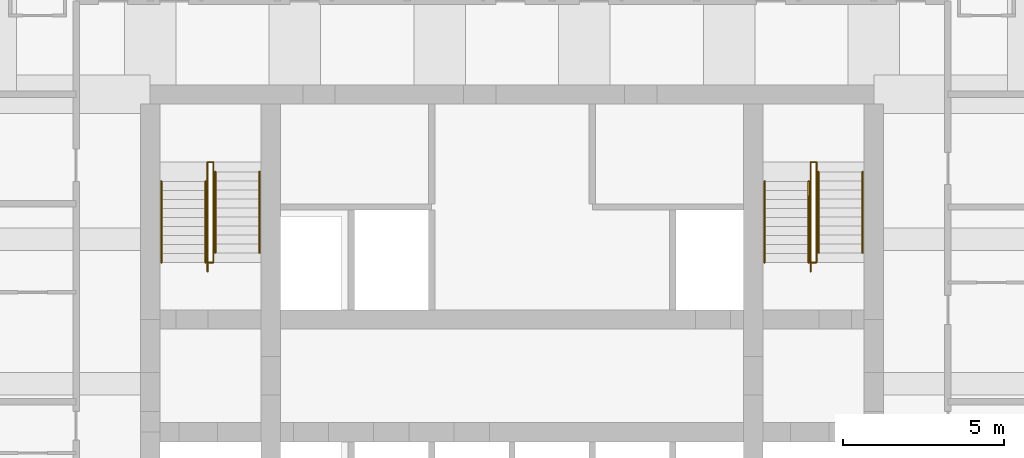
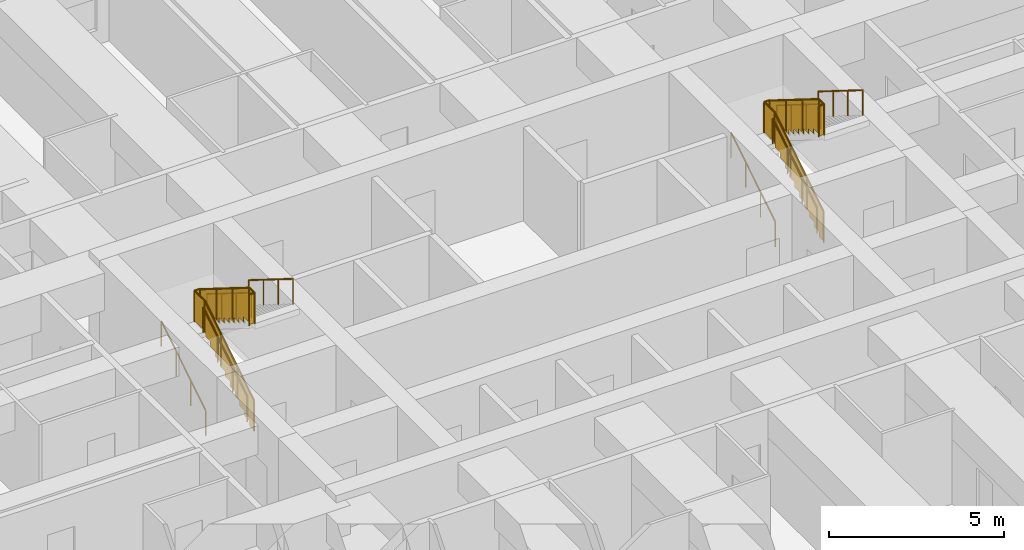
# One storey, part 8 of 8: 12 railings.
"""IFC4 building model written with IfcOpenShell, lengths in metres."""

import ifcopenshell
import ifcopenshell.guid

model = None  # the IFC model being written
_history = None  # IfcOwnerHistory: only IFC2X3 demands one
_inside = {}  # id of a spatial element -> (the spatial element, [elements in it])
_under = {}  # id of a project, library or spatial element -> (it, [spatial elements below it])
_declared = {}  # id of a project -> (the project, [libraries it declares])
_typed = {}  # id of a type object -> (the type object, [elements of that type])
_made_of = {}  # id of a material, layer set ... -> (it, [elements and type objects made of it])


def new_model(schema):
    """Start an empty IFC model of exactly this schema.

    Asked for "IFC4X3", IfcOpenShell would pick the latest addendum, in which some entities
    have other attributes; the version numbers below select the first issue.
    IFC2X3 requires an IfcOwnerHistory on every rooted entity: one is made here for all.
    """
    global model, _history
    if schema == "IFC4X3":
        model = ifcopenshell.file(schema_version=(4, 3, 0, 0))
    else:
        model = ifcopenshell.file(schema=schema)
    _inside.clear()
    _under.clear()
    _declared.clear()
    _typed.clear()
    _made_of.clear()
    _history = None
    if model.schema == "IFC2X3":
        org = make("IfcOrganization", Name="unknown")
        user = make(
            "IfcPersonAndOrganization",
            ThePerson=make("IfcPerson", FamilyName="unknown"),
            TheOrganization=org,
        )
        app = make(
            "IfcApplication",
            ApplicationDeveloper=org,
            Version="unknown",
            ApplicationFullName="unknown",
            ApplicationIdentifier="unknown",
        )
        _history = make(
            "IfcOwnerHistory",
            OwningUser=user,
            OwningApplication=app,
            ChangeAction="ADDED",
            CreationDate=0,
        )
    return model


def make(cls, **values):
    """One entity of the class cls with the attributes given. An attribute that is None is left unset."""
    return model.create_entity(
        cls, **{name: value for name, value in values.items() if value is not None}
    )


def rooted(cls, **values):
    """An entity with a GlobalId (a new one), such as an element, a storey or a relation."""
    return make(cls, GlobalId=ifcopenshell.guid.new(), OwnerHistory=_history, **values)


def si_unit(unit_type, name, prefix=None):
    """IfcSIUnit, for example si_unit("LENGTHUNIT", "METRE", prefix="MILLI")."""
    return make("IfcSIUnit", UnitType=unit_type, Prefix=prefix, Name=name)


def assignment(units):
    """IfcUnitAssignment: the units of a project."""
    return None if units is None else make("IfcUnitAssignment", Units=units)


def point(xyz):
    """IfcCartesianPoint."""
    return None if xyz is None else make("IfcCartesianPoint", Coordinates=xyz)


def direction(xyz):
    """IfcDirection."""
    return None if xyz is None else make("IfcDirection", DirectionRatios=xyz)


def frame(location, z_axis=None, x_axis=None):
    """IfcAxis2Placement3D, a coordinate frame: its origin and axes. An axis left out is left unset."""
    return make(
        "IfcAxis2Placement3D",
        Location=point(location),
        Axis=direction(z_axis),
        RefDirection=direction(x_axis),
    )


def frame_2d(location, x_axis=None):
    """IfcAxis2Placement2D, a coordinate frame in the plane: its origin and x axis."""
    return make(
        "IfcAxis2Placement2D", Location=point(location), RefDirection=direction(x_axis)
    )


def origin():
    """The frame at (0, 0, 0) with its axes left unset."""
    return frame((0.0, 0.0, 0.0))


def origin_2d():
    """The frame at (0, 0) in the plane with its x axis left unset."""
    return frame_2d((0.0, 0.0))


def place(relative_to, where):
    """IfcLocalPlacement: puts the frame where relative to a parent placement (None: the world)."""
    return make(
        "IfcLocalPlacement", PlacementRelTo=relative_to, RelativePlacement=where
    )


def context(
    kind, dimensions, precision=None, world=None, true_north=None, identifier=None
):
    """IfcGeometricRepresentationContext, for example the 3D "Model" context."""
    return make(
        "IfcGeometricRepresentationContext",
        ContextIdentifier=identifier,
        ContextType=kind,
        CoordinateSpaceDimension=dimensions,
        Precision=precision,
        WorldCoordinateSystem=world,
        TrueNorth=true_north,
    )


def subcontext(parent, identifier, kind, view, scale=None):
    """IfcGeometricRepresentationSubContext, for example "Body" below "Model"."""
    return make(
        "IfcGeometricRepresentationSubContext",
        ContextIdentifier=identifier,
        ContextType=kind,
        ParentContext=parent,
        TargetScale=scale,
        TargetView=view,
    )


def project(units=None, contexts=None):
    """IfcProject with its units and contexts."""
    return rooted(
        "IfcProject",
        Name="project",
        RepresentationContexts=contexts,
        UnitsInContext=assignment(units),
    )


def spatial(cls, under=None, at=None, **own):
    """A site, building, storey or space (cls), placed at a placement, below another one or the project."""
    s = rooted(cls, ObjectPlacement=at, **own)
    if under is not None:
        _under.setdefault(under.id(), (under, []))[1].append(s)
    return s


def polyline(points):
    """IfcPolyline through the points."""
    return make("IfcPolyline", Points=[point(p) for p in points])


def profile(cls, at=None, kind="AREA", **sizes):
    """A parametric profile (cls). Its sizes go by their IFC names, for example OverallWidth=200.0."""
    return make(cls, ProfileType=kind, Position=at, **sizes)


def circle(**sizes):
    """IfcCircleProfileDef."""
    return profile("IfcCircleProfileDef", **sizes)


def outline(outer, holes=None, kind="AREA"):
    """IfcArbitraryClosedProfileDef: a profile drawn as a closed curve; with holes, ...WithVoids."""
    if holes is None:
        return make("IfcArbitraryClosedProfileDef", ProfileType=kind, OuterCurve=outer)
    return make(
        "IfcArbitraryProfileDefWithVoids",
        ProfileType=kind,
        OuterCurve=outer,
        InnerCurves=holes,
    )


def extrude(swept, where, along, depth):
    """IfcExtrudedAreaSolid: the profile swept, set in the frame where, extruded along a direction by depth."""
    return make(
        "IfcExtrudedAreaSolid",
        SweptArea=swept,
        Position=where,
        ExtrudedDirection=direction(along),
        Depth=depth,
    )


def shape(context_of_items, identifier, shape_type, items):
    """IfcShapeRepresentation: the items that make up one representation, for example the "Body"."""
    return make(
        "IfcShapeRepresentation",
        ContextOfItems=context_of_items,
        RepresentationIdentifier=identifier,
        RepresentationType=shape_type,
        Items=items,
    )


def material(Name=None, Category=None):
    """IfcMaterial."""
    return make("IfcMaterial", Name=Name, Category=Category)


def made_of(thing, what):
    """Note that an element or type object is made of a material, layer set ...; save() writes the relation."""
    if what is not None:
        _made_of.setdefault(what.id(), (what, []))[1].append(thing)
    return thing


def type_object(cls, material=None, **own):
    """A type object (cls), such as IfcWallType, which elements share."""
    return made_of(rooted(cls, **own), material)


def element(
    cls,
    number,
    at=None,
    inside=None,
    cuts=None,
    type_object=None,
    material=None,
    context=None,
    identifier="Body",
    shape_type=None,
    held_by="IfcProductDefinitionShape",
    body=None,
    shapes=None,
    **own,
):
    """One element of the class cls, such as IfcWall. Its Tag is "e" and its number.

    at: its placement. inside: the storey or other place that contains it. cuts: it is an
    opening in that element (IfcRelVoidsElement). A single representation is given by context,
    identifier, shape_type and body (its items); several are given by shapes. held_by: the class
    of the entity that holds the representations. save() writes the other relations.
    """
    e = rooted(cls, Tag="e%d" % number, ObjectPlacement=at, **own)
    if body is not None:
        shapes = [shape(context, identifier, shape_type, body)]
    if shapes is not None:
        e.Representation = make(held_by, Representations=shapes)
    if inside is not None:
        _inside.setdefault(inside.id(), (inside, []))[1].append(e)
    if cuts is not None:
        rooted(
            "IfcRelVoidsElement", RelatingBuildingElement=cuts, RelatedOpeningElement=e
        )
    if type_object is not None:
        _typed.setdefault(type_object.id(), (type_object, []))[1].append(e)
    return made_of(e, material)


def aggregate(whole, parts):
    """IfcRelAggregates: a whole, such as a stair, and the parts it consists of."""
    return rooted("IfcRelAggregates", RelatingObject=whole, RelatedObjects=parts)


def save(model, path):
    """Write the relations noted so far, then the file.

    IfcRelAggregates (storeys below a building ...), IfcRelContainedInSpatialStructure (elements
    in a storey), IfcRelDefinesByType, IfcRelAssociatesMaterial and IfcRelDeclares: one each for
    every whole, place, type object, material and project.
    """
    for whole, parts in _under.values():
        aggregate(whole, parts)
    for where, things in _inside.values():
        rooted(
            "IfcRelContainedInSpatialStructure",
            RelatedElements=things,
            RelatingStructure=where,
        )
    for kind, things in _typed.values():
        rooted("IfcRelDefinesByType", RelatedObjects=things, RelatingType=kind)
    for what, things in _made_of.values():
        rooted("IfcRelAssociatesMaterial", RelatedObjects=things, RelatingMaterial=what)
    for by, libraries in _declared.values():
        rooted("IfcRelDeclares", RelatingContext=by, RelatedDefinitions=libraries)
    model.write(path)


model = new_model("IFC4")

# Units and contexts
model_context = context("Model", 3, precision=1e-05, world=origin(), true_north=direction((0.0, 1.0)))
body_context = subcontext(model_context, "Body", "Model", "MODEL_VIEW")
ifc_project = project(units=[si_unit("LENGTHUNIT", "METRE"), si_unit("AREAUNIT", "SQUARE_METRE"), si_unit("VOLUMEUNIT", "CUBIC_METRE"), si_unit("PLANEANGLEUNIT", "RADIAN"), si_unit("MASSUNIT", "GRAM", prefix="KILO")], contexts=[model_context])

# Site, building, storey
site_placement = place(None, origin())
site = spatial("IfcSite", under=ifc_project, at=site_placement, CompositionType="ELEMENT")
building_placement = place(site_placement, origin())
building = spatial("IfcBuilding", under=site, at=building_placement, Name="Kilele Tower Hotel", CompositionType="ELEMENT")
storey_placement = place(building_placement, frame((0.0, 0.0, 50.699951171875)))
storey = spatial("IfcBuildingStorey", under=building, at=storey_placement, Name="L11", CompositionType="ELEMENT", Elevation=50.699951171875)

# Railings
ifc_material_1 = material(Name="Steel handrail", Category="steel")
railing_type_1 = type_object("IfcRailingType", Name="Handrail 900", PredefinedType="HANDRAIL", material=ifc_material_1)
for number, where, name in (
    (1, (13.85009765625, 21.77490234375, 0.175048828125), "Handrail ST1 flight 1"),
    (2, (15.22509765625, 21.77490234375, 0.175048828125), "Handrail ST1 flight 1"),
):
    element("IfcRailing", number, at=place(storey_placement, frame(where)), inside=storey, type_object=railing_type_1, Name=name, PredefinedType="HANDRAIL", context=body_context, shape_type="SweptSolid", body=[
        extrude(circle(Radius=0.02490234375, at=origin_2d()), frame((0.0, 0.0, 0.875), z_axis=(0.0, 0.848007534815, 0.529984170421), x_axis=(-1.0, 0.0, 0.0)), (0.0, 0.0, 1.0), 2.9716796875),
        extrude(circle(Radius=0.02001953125, at=origin_2d()), origin(), (0.0, 0.0, 1.0), 0.849853515625),
        extrude(circle(Radius=0.02001953125, at=origin_2d()), frame((0.0, 0.840087890625, 0.52490234375)), (0.0, 0.0, 1.0), 0.849853515625),
        extrude(circle(Radius=0.02001953125, at=origin_2d()), frame((0.0, 1.679931640625, 1.050048828125)), (0.0, 0.0, 1.0), 0.849853515625),
        extrude(circle(Radius=0.02001953125, at=origin_2d()), frame((0.0, 2.52001953125, 1.574951171875)), (0.0, 0.0, 1.0), 0.849853515625),
    ])
for number, where, name in (
    (3, (15.52490234375, 24.594970703125, 1.925048828125), "Handrail ST1 flight 2"),
    (4, (16.89990234375, 24.594970703125, 1.925048828125), "Handrail ST1 flight 2"),
):
    element("IfcRailing", number, at=place(storey_placement, frame(where)), inside=storey, type_object=railing_type_1, Name=name, PredefinedType="HANDRAIL", context=body_context, shape_type="SweptSolid", body=[
        extrude(circle(Radius=0.02490234375, at=origin_2d()), frame((0.0, 0.0, 0.875), z_axis=(0.0, -0.848007534815, 0.529984170421), x_axis=(1.0, 0.0, 0.0)), (0.0, 0.0, 1.0), 2.9716796875),
        extrude(circle(Radius=0.02001953125, at=origin_2d()), origin(), (0.0, 0.0, 1.0), 0.849853515625),
        extrude(circle(Radius=0.02001953125, at=origin_2d()), frame((0.0, -0.840087890625, 0.52490234375)), (0.0, 0.0, 1.0), 0.849853515625),
        extrude(circle(Radius=0.02001953125, at=origin_2d()), frame((0.0, -1.679931640625, 1.050048828125)), (0.0, 0.0, 1.0), 0.849853515625),
        extrude(circle(Radius=0.02001953125, at=origin_2d()), frame((0.0, -2.52001953125, 1.574951171875)), (0.0, 0.0, 1.0), 0.849853515625),
    ])
for number, where, name in (
    (5, (32.60009765625, 21.77490234375, 0.175048828125), "Handrail ST2 flight 1"),
    (6, (33.97509765625, 21.77490234375, 0.175048828125), "Handrail ST2 flight 1"),
):
    element("IfcRailing", number, at=place(storey_placement, frame(where)), inside=storey, type_object=railing_type_1, Name=name, PredefinedType="HANDRAIL", context=body_context, shape_type="SweptSolid", body=[
        extrude(circle(Radius=0.02490234375, at=origin_2d()), frame((0.0, 0.0, 0.875), z_axis=(0.0, 0.848007534815, 0.529984170421), x_axis=(-1.0, 0.0, 0.0)), (0.0, 0.0, 1.0), 2.9716796875),
        extrude(circle(Radius=0.02001953125, at=origin_2d()), origin(), (0.0, 0.0, 1.0), 0.849853515625),
        extrude(circle(Radius=0.02001953125, at=origin_2d()), frame((0.0, 0.840087890625, 0.52490234375)), (0.0, 0.0, 1.0), 0.849853515625),
        extrude(circle(Radius=0.02001953125, at=origin_2d()), frame((0.0, 1.679931640625, 1.050048828125)), (0.0, 0.0, 1.0), 0.849853515625),
        extrude(circle(Radius=0.02001953125, at=origin_2d()), frame((0.0, 2.52001953125, 1.574951171875)), (0.0, 0.0, 1.0), 0.849853515625),
    ])
for number, where, name in (
    (7, (34.27490234375, 24.594970703125, 1.925048828125), "Handrail ST2 flight 2"),
    (8, (35.64990234375, 24.594970703125, 1.925048828125), "Handrail ST2 flight 2"),
):
    element("IfcRailing", number, at=place(storey_placement, frame(where)), inside=storey, type_object=railing_type_1, Name=name, PredefinedType="HANDRAIL", context=body_context, shape_type="SweptSolid", body=[
        extrude(circle(Radius=0.02490234375, at=origin_2d()), frame((0.0, 0.0, 0.875), z_axis=(0.0, -0.848007534815, 0.529984170421), x_axis=(1.0, 0.0, 0.0)), (0.0, 0.0, 1.0), 2.9716796875),
        extrude(circle(Radius=0.02001953125, at=origin_2d()), origin(), (0.0, 0.0, 1.0), 0.849853515625),
        extrude(circle(Radius=0.02001953125, at=origin_2d()), frame((0.0, -0.840087890625, 0.52490234375)), (0.0, 0.0, 1.0), 0.849853515625),
        extrude(circle(Radius=0.02001953125, at=origin_2d()), frame((0.0, -1.679931640625, 1.050048828125)), (0.0, 0.0, 1.0), 0.849853515625),
        extrude(circle(Radius=0.02001953125, at=origin_2d()), frame((0.0, -2.52001953125, 1.574951171875)), (0.0, 0.0, 1.0), 0.849853515625),
    ])
ifc_material_2 = material(Name="Steel guard", Category="steel")
railing_type_2 = type_object("IfcRailingType", Name="Stair guard 1100", PredefinedType="GUARDRAIL", material=ifc_material_2)
railing_1_placement = place(storey_placement, frame((15.284912109375, 21.4951171875, 0.0)))
element("IfcRailing", 9, at=railing_1_placement, inside=storey, type_object=railing_type_2, Name="Stair well guard ST1 flight 1", PredefinedType="GUARDRAIL", context=body_context, shape_type="SweptSolid", body=[
    extrude(circle(Radius=0.02490234375, at=origin_2d()), frame((0.0, 0.0, 1.0751953125), z_axis=(0.0, 0.847981687118, 0.530025526095), x_axis=(-1.0, 0.0, 0.0)), (0.0, 0.0, 1.0), 3.3017578125),
    extrude(circle(Radius=0.02490234375, at=origin_2d()), frame((0.0, 2.7998046875, 2.8251953125), z_axis=(0.0, 1.0, 0.0), x_axis=(-1.0, 0.0, 0.0)), (0.0, 0.0, 1.0), 0.60009765625),
    extrude(circle(Radius=0.02490234375, at=origin_2d()), frame((0.0, 3.39990234375, 2.8251953125), z_axis=(1.0, 0.0, 0.0), x_axis=(0.0, 1.0, 0.0)), (0.0, 0.0, 1.0), 0.18017578125),
    extrude(circle(Radius=0.02490234375, at=origin_2d()), origin(), (0.0, 0.0, 1.0), 1.050048828125),
    extrude(circle(Radius=0.02490234375, at=origin_2d()), frame((0.0, 0.933349609375, 0.583251953125)), (0.0, 0.0, 1.0), 1.050048828125),
    extrude(circle(Radius=0.02490234375, at=origin_2d()), frame((0.0, 1.866455078125, 1.166748046875)), (0.0, 0.0, 1.0), 1.050048828125),
    extrude(circle(Radius=0.02490234375, at=origin_2d()), frame((0.0, 2.7998046875, 1.75)), (0.0, 0.0, 1.0), 1.050048828125),
    extrude(circle(Radius=0.02490234375, at=origin_2d()), frame((0.0, 3.39990234375, 1.75)), (0.0, 0.0, 1.0), 1.050048828125),
    extrude(circle(Radius=0.02490234375, at=origin_2d()), frame((0.18017578125, 3.39990234375, 1.75)), (0.0, 0.0, 1.0), 1.050048828125),
    extrude(outline(polyline([(0.012451171875, 0.030029296875), (0.25, 0.030029296875), (0.25, 0.205078125), (0.530029296875, 0.205078125), (0.530029296875, 0.380126953125), (0.809814453125, 0.380126953125), (0.809814453125, 0.554931640625), (1.08984375, 0.554931640625), (1.08984375, 0.72998046875), (1.369873046875, 0.72998046875), (1.369873046875, 0.905029296875), (1.64990234375, 0.905029296875), (1.64990234375, 1.080078125), (1.929931640625, 1.080078125), (1.929931640625, 1.255126953125), (2.209716796875, 1.255126953125), (2.209716796875, 1.429931640625), (2.48974609375, 1.429931640625), (2.48974609375, 1.60498046875), (2.769775390625, 1.60498046875), (2.769775390625, 1.780029296875), (2.787353515625, 1.780029296875), (2.787353515625, 2.787841796875), (0.012451171875, 1.053466796875), (0.012451171875, 0.030029296875)])), frame((-0.005859375, 0.0, 0.0), z_axis=(1.0, 0.0, 0.0), x_axis=(0.0, 1.0, 0.0)), (0.0, 0.0, 1.0), 0.011962890625),
    extrude(outline(polyline([(0.012451171875, 0.030029296875), (0.587646484375, 0.030029296875), (0.587646484375, 1.050048828125), (0.012451171875, 1.050048828125), (0.012451171875, 0.030029296875)])), frame((-0.005859375, 2.7998046875, 1.75), z_axis=(1.0, 0.0, 0.0), x_axis=(0.0, 1.0, 0.0)), (0.0, 0.0, 1.0), 0.011962890625),
    extrude(outline(polyline([(0.012451171875, 0.030029296875), (0.18017578125, 0.030029296875), (0.18017578125, 1.050048828125), (0.012451171875, 1.050048828125), (0.012451171875, 0.030029296875)])), frame((0.0, 3.40576171875, 1.75), z_axis=(0.0, -1.0, 0.0), x_axis=(1.0, 0.0, 0.0)), (0.0, 0.0, 1.0), 0.011962890625),
])
railing_2_placement = place(storey_placement, frame((15.465087890625, 24.89501953125, 1.75)))
element("IfcRailing", 10, at=railing_2_placement, inside=storey, type_object=railing_type_2, Name="Stair well guard ST1 flight 2", PredefinedType="GUARDRAIL", context=body_context, shape_type="SweptSolid", body=[
    extrude(circle(Radius=0.02490234375, at=origin_2d()), frame((0.0, 0.0, 1.0751953125), z_axis=(0.0, -1.0, 0.0), x_axis=(1.0, 0.0, 0.0)), (0.0, 0.0, 1.0), 0.02001953125),
    extrude(circle(Radius=0.02490234375, at=origin_2d()), frame((0.0, -0.02001953125, 1.0751953125), z_axis=(0.0, -0.848002457836, 0.529992293815), x_axis=(1.0, 0.0, 0.0)), (0.0, 0.0, 1.0), 3.302001953125),
    extrude(circle(Radius=0.02490234375, at=origin_2d()), frame((0.0, -2.820068359375, 2.8251953125), z_axis=(0.0, -1.0, 0.0), x_axis=(1.0, 0.0, 0.0)), (0.0, 0.0, 1.0), 0.300048828125),
    extrude(circle(Radius=0.02490234375, at=origin_2d()), frame((0.0, -3.1201171875, 2.8251953125), z_axis=(-1.0, 0.0, 0.0), x_axis=(0.0, -1.0, 0.0)), (0.0, 0.0, 1.0), 0.18017578125),
    extrude(circle(Radius=0.02490234375, at=origin_2d()), origin(), (0.0, 0.0, 1.0), 1.050048828125),
    extrude(circle(Radius=0.02490234375, at=origin_2d()), frame((0.0, -0.02001953125, 0.0)), (0.0, 0.0, 1.0), 1.050048828125),
    extrude(circle(Radius=0.02490234375, at=origin_2d()), frame((0.0, -0.953369140625, 0.583251953125)), (0.0, 0.0, 1.0), 1.050048828125),
    extrude(circle(Radius=0.02490234375, at=origin_2d()), frame((0.0, -1.88671875, 1.166748046875)), (0.0, 0.0, 1.0), 1.050048828125),
    extrude(circle(Radius=0.02490234375, at=origin_2d()), frame((0.0, -2.820068359375, 1.75)), (0.0, 0.0, 1.0), 1.050048828125),
    extrude(circle(Radius=0.02490234375, at=origin_2d()), frame((0.0, -3.1201171875, 1.75)), (0.0, 0.0, 1.0), 1.050048828125),
    extrude(circle(Radius=0.02490234375, at=origin_2d()), frame((-0.18017578125, -3.1201171875, 1.75)), (0.0, 0.0, 1.0), 1.050048828125),
    extrude(outline(polyline([(0.012451171875, 0.030029296875), (0.25, 0.030029296875), (0.25, 0.205078125), (0.530029296875, 0.205078125), (0.530029296875, 0.380126953125), (0.81005859375, 0.380126953125), (0.81005859375, 0.554931640625), (1.090087890625, 0.554931640625), (1.090087890625, 0.72998046875), (1.3701171875, 0.72998046875), (1.3701171875, 0.905029296875), (1.64990234375, 0.905029296875), (1.64990234375, 1.080078125), (1.929931640625, 1.080078125), (1.929931640625, 1.255126953125), (2.2099609375, 1.255126953125), (2.2099609375, 1.429931640625), (2.489990234375, 1.429931640625), (2.489990234375, 1.60498046875), (2.77001953125, 1.60498046875), (2.77001953125, 1.780029296875), (2.78759765625, 1.780029296875), (2.78759765625, 2.787841796875), (0.012451171875, 1.053466796875), (0.012451171875, 0.030029296875)])), frame((0.005859375, -0.02001953125, 0.0), z_axis=(-1.0, 0.0, 0.0), x_axis=(0.0, -1.0, 0.0)), (0.0, 0.0, 1.0), 0.011962890625),
    extrude(outline(polyline([(0.012451171875, 0.030029296875), (0.28759765625, 0.030029296875), (0.28759765625, 1.050048828125), (0.012451171875, 1.050048828125), (0.012451171875, 0.030029296875)])), frame((0.005859375, -2.820068359375, 1.75), z_axis=(-1.0, 0.0, 0.0), x_axis=(0.0, -1.0, 0.0)), (0.0, 0.0, 1.0), 0.011962890625),
    extrude(outline(polyline([(0.012451171875, 0.030029296875), (0.18017578125, 0.030029296875), (0.18017578125, 1.050048828125), (0.012451171875, 1.050048828125), (0.012451171875, 0.030029296875)])), frame((0.0, -3.1259765625, 1.75), z_axis=(0.0, 1.0, 0.0), x_axis=(-1.0, 0.0, 0.0)), (0.0, 0.0, 1.0), 0.011962890625),
])
railing_3_placement = place(storey_placement, frame((34.034912109375, 21.4951171875, 0.0)))
element("IfcRailing", 11, at=railing_3_placement, inside=storey, type_object=railing_type_2, Name="Stair well guard ST2 flight 1", PredefinedType="GUARDRAIL", context=body_context, shape_type="SweptSolid", body=[
    extrude(circle(Radius=0.02490234375, at=origin_2d()), frame((0.0, 0.0, 1.0751953125), z_axis=(0.0, 0.847981687118, 0.530025526095), x_axis=(-1.0, 0.0, 0.0)), (0.0, 0.0, 1.0), 3.3017578125),
    extrude(circle(Radius=0.02490234375, at=origin_2d()), frame((0.0, 2.7998046875, 2.8251953125), z_axis=(0.0, 1.0, 0.0), x_axis=(-1.0, 0.0, 0.0)), (0.0, 0.0, 1.0), 0.60009765625),
    extrude(circle(Radius=0.02490234375, at=origin_2d()), frame((0.0, 3.39990234375, 2.8251953125), z_axis=(1.0, 0.0, 0.0), x_axis=(0.0, 1.0, 0.0)), (0.0, 0.0, 1.0), 0.18017578125),
    extrude(circle(Radius=0.02490234375, at=origin_2d()), origin(), (0.0, 0.0, 1.0), 1.050048828125),
    extrude(circle(Radius=0.02490234375, at=origin_2d()), frame((0.0, 0.933349609375, 0.583251953125)), (0.0, 0.0, 1.0), 1.050048828125),
    extrude(circle(Radius=0.02490234375, at=origin_2d()), frame((0.0, 1.866455078125, 1.166748046875)), (0.0, 0.0, 1.0), 1.050048828125),
    extrude(circle(Radius=0.02490234375, at=origin_2d()), frame((0.0, 2.7998046875, 1.75)), (0.0, 0.0, 1.0), 1.050048828125),
    extrude(circle(Radius=0.02490234375, at=origin_2d()), frame((0.0, 3.39990234375, 1.75)), (0.0, 0.0, 1.0), 1.050048828125),
    extrude(circle(Radius=0.02490234375, at=origin_2d()), frame((0.18017578125, 3.39990234375, 1.75)), (0.0, 0.0, 1.0), 1.050048828125),
    extrude(outline(polyline([(0.012451171875, 0.030029296875), (0.25, 0.030029296875), (0.25, 0.205078125), (0.530029296875, 0.205078125), (0.530029296875, 0.380126953125), (0.809814453125, 0.380126953125), (0.809814453125, 0.554931640625), (1.08984375, 0.554931640625), (1.08984375, 0.72998046875), (1.369873046875, 0.72998046875), (1.369873046875, 0.905029296875), (1.64990234375, 0.905029296875), (1.64990234375, 1.080078125), (1.929931640625, 1.080078125), (1.929931640625, 1.255126953125), (2.209716796875, 1.255126953125), (2.209716796875, 1.429931640625), (2.48974609375, 1.429931640625), (2.48974609375, 1.60498046875), (2.769775390625, 1.60498046875), (2.769775390625, 1.780029296875), (2.787353515625, 1.780029296875), (2.787353515625, 2.787841796875), (0.012451171875, 1.053466796875), (0.012451171875, 0.030029296875)])), frame((-0.005859375, 0.0, 0.0), z_axis=(1.0, 0.0, 0.0), x_axis=(0.0, 1.0, 0.0)), (0.0, 0.0, 1.0), 0.011962890625),
    extrude(outline(polyline([(0.012451171875, 0.030029296875), (0.587646484375, 0.030029296875), (0.587646484375, 1.050048828125), (0.012451171875, 1.050048828125), (0.012451171875, 0.030029296875)])), frame((-0.005859375, 2.7998046875, 1.75), z_axis=(1.0, 0.0, 0.0), x_axis=(0.0, 1.0, 0.0)), (0.0, 0.0, 1.0), 0.011962890625),
    extrude(outline(polyline([(0.012451171875, 0.030029296875), (0.18017578125, 0.030029296875), (0.18017578125, 1.050048828125), (0.012451171875, 1.050048828125), (0.012451171875, 0.030029296875)])), frame((0.0, 3.40576171875, 1.75), z_axis=(0.0, -1.0, 0.0), x_axis=(1.0, 0.0, 0.0)), (0.0, 0.0, 1.0), 0.011962890625),
])
railing_4_placement = place(storey_placement, frame((34.215087890625, 24.89501953125, 1.75)))
element("IfcRailing", 12, at=railing_4_placement, inside=storey, type_object=railing_type_2, Name="Stair well guard ST2 flight 2", PredefinedType="GUARDRAIL", context=body_context, shape_type="SweptSolid", body=[
    extrude(circle(Radius=0.02490234375, at=origin_2d()), frame((0.0, 0.0, 1.0751953125), z_axis=(0.0, -1.0, 0.0), x_axis=(1.0, 0.0, 0.0)), (0.0, 0.0, 1.0), 0.02001953125),
    extrude(circle(Radius=0.02490234375, at=origin_2d()), frame((0.0, -0.02001953125, 1.0751953125), z_axis=(0.0, -0.848002457836, 0.529992293815), x_axis=(1.0, 0.0, 0.0)), (0.0, 0.0, 1.0), 3.302001953125),
    extrude(circle(Radius=0.02490234375, at=origin_2d()), frame((0.0, -2.820068359375, 2.8251953125), z_axis=(0.0, -1.0, 0.0), x_axis=(1.0, 0.0, 0.0)), (0.0, 0.0, 1.0), 0.300048828125),
    extrude(circle(Radius=0.02490234375, at=origin_2d()), frame((0.0, -3.1201171875, 2.8251953125), z_axis=(-1.0, 0.0, 0.0), x_axis=(0.0, -1.0, 0.0)), (0.0, 0.0, 1.0), 0.18017578125),
    extrude(circle(Radius=0.02490234375, at=origin_2d()), origin(), (0.0, 0.0, 1.0), 1.050048828125),
    extrude(circle(Radius=0.02490234375, at=origin_2d()), frame((0.0, -0.02001953125, 0.0)), (0.0, 0.0, 1.0), 1.050048828125),
    extrude(circle(Radius=0.02490234375, at=origin_2d()), frame((0.0, -0.953369140625, 0.583251953125)), (0.0, 0.0, 1.0), 1.050048828125),
    extrude(circle(Radius=0.02490234375, at=origin_2d()), frame((0.0, -1.88671875, 1.166748046875)), (0.0, 0.0, 1.0), 1.050048828125),
    extrude(circle(Radius=0.02490234375, at=origin_2d()), frame((0.0, -2.820068359375, 1.75)), (0.0, 0.0, 1.0), 1.050048828125),
    extrude(circle(Radius=0.02490234375, at=origin_2d()), frame((0.0, -3.1201171875, 1.75)), (0.0, 0.0, 1.0), 1.050048828125),
    extrude(circle(Radius=0.02490234375, at=origin_2d()), frame((-0.18017578125, -3.1201171875, 1.75)), (0.0, 0.0, 1.0), 1.050048828125),
    extrude(outline(polyline([(0.012451171875, 0.030029296875), (0.25, 0.030029296875), (0.25, 0.205078125), (0.530029296875, 0.205078125), (0.530029296875, 0.380126953125), (0.81005859375, 0.380126953125), (0.81005859375, 0.554931640625), (1.090087890625, 0.554931640625), (1.090087890625, 0.72998046875), (1.3701171875, 0.72998046875), (1.3701171875, 0.905029296875), (1.64990234375, 0.905029296875), (1.64990234375, 1.080078125), (1.929931640625, 1.080078125), (1.929931640625, 1.255126953125), (2.2099609375, 1.255126953125), (2.2099609375, 1.429931640625), (2.489990234375, 1.429931640625), (2.489990234375, 1.60498046875), (2.77001953125, 1.60498046875), (2.77001953125, 1.780029296875), (2.78759765625, 1.780029296875), (2.78759765625, 2.787841796875), (0.012451171875, 1.053466796875), (0.012451171875, 0.030029296875)])), frame((0.005859375, -0.02001953125, 0.0), z_axis=(-1.0, 0.0, 0.0), x_axis=(0.0, -1.0, 0.0)), (0.0, 0.0, 1.0), 0.011962890625),
    extrude(outline(polyline([(0.012451171875, 0.030029296875), (0.28759765625, 0.030029296875), (0.28759765625, 1.050048828125), (0.012451171875, 1.050048828125), (0.012451171875, 0.030029296875)])), frame((0.005859375, -2.820068359375, 1.75), z_axis=(-1.0, 0.0, 0.0), x_axis=(0.0, -1.0, 0.0)), (0.0, 0.0, 1.0), 0.011962890625),
    extrude(outline(polyline([(0.012451171875, 0.030029296875), (0.18017578125, 0.030029296875), (0.18017578125, 1.050048828125), (0.012451171875, 1.050048828125), (0.012451171875, 0.030029296875)])), frame((0.0, -3.1259765625, 1.75), z_axis=(0.0, 1.0, 0.0), x_axis=(-1.0, 0.0, 0.0)), (0.0, 0.0, 1.0), 0.011962890625),
])

save(model, "model.ifc")
